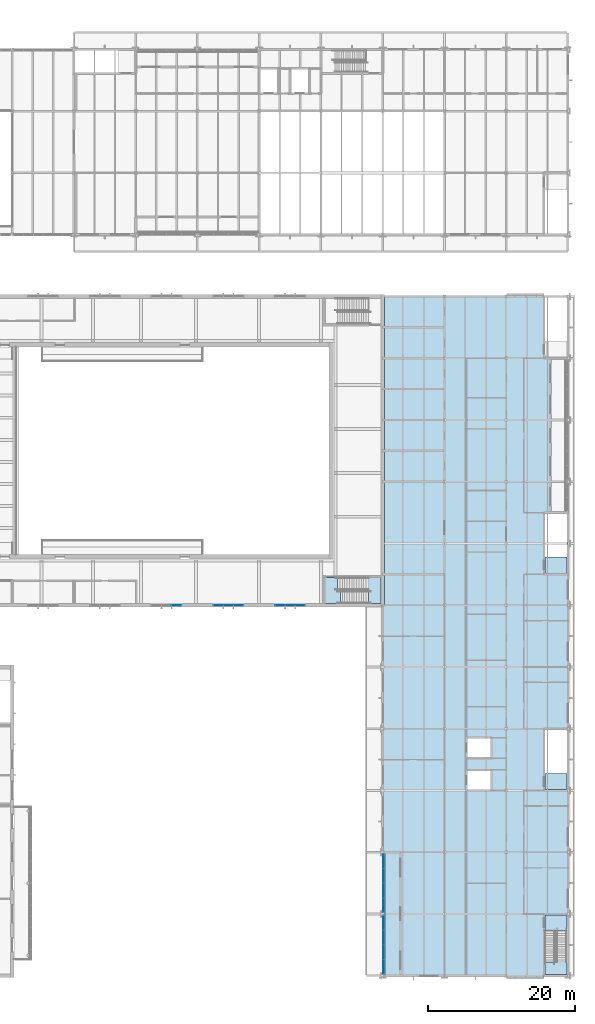
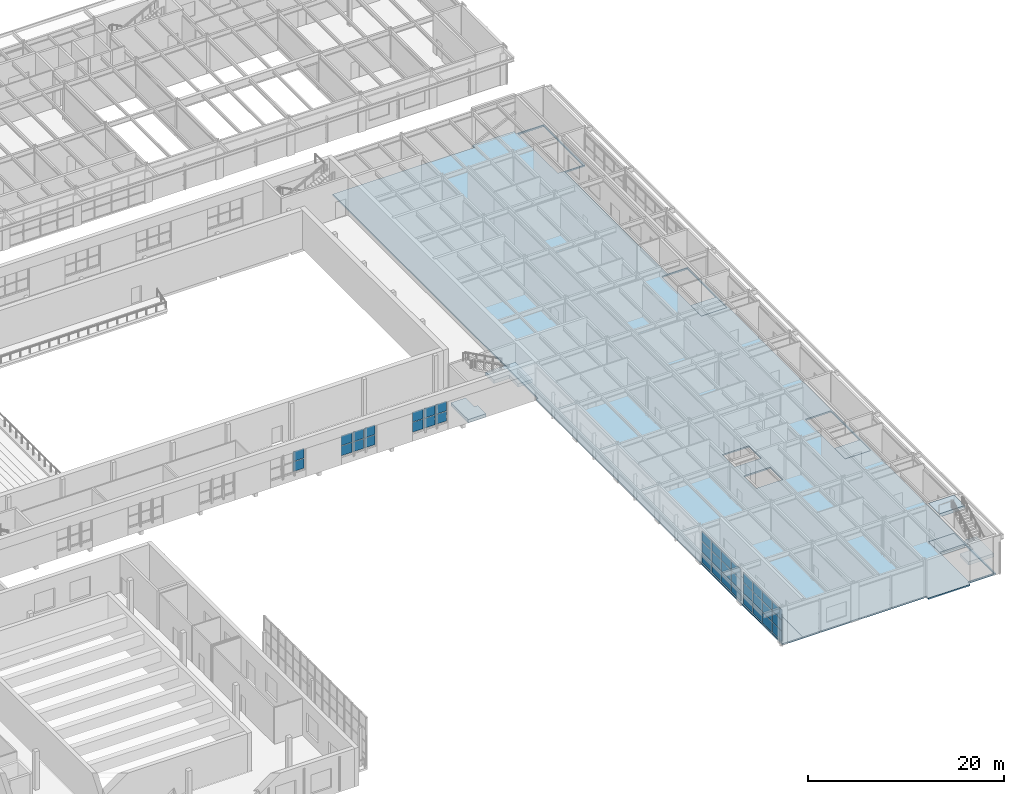
# One storey, part 58 of 116: 38 plates, 9 slabs, 7 elements without a shape of their own.
"""IFC4 building model written with IfcOpenShell, lengths in metres."""

from ifc_helpers import new_model, si_unit, direction, frame, origin, origin_2d, place, context, subcontext, project, spatial, polyline, rectangle, outline, extrude, material, layer, layer_set, type_object, element, aggregate, save


model = new_model("IFC4")

# Units and contexts
model_context = context("Model", 3, precision=1e-05, world=origin(), true_north=direction((0.0, 1.0)))
body_context = subcontext(model_context, "Body", "Model", "MODEL_VIEW")
ifc_project = project(units=[si_unit("LENGTHUNIT", "METRE"), si_unit("AREAUNIT", "SQUARE_METRE"), si_unit("VOLUMEUNIT", "CUBIC_METRE"), si_unit("PLANEANGLEUNIT", "RADIAN"), si_unit("MASSUNIT", "GRAM", prefix="KILO")], contexts=[model_context])

# Site, building, storey
site_placement = place(None, origin())
site = spatial("IfcSite", under=ifc_project, at=site_placement, CompositionType="ELEMENT")
building_placement = place(site_placement, origin())
building = spatial("IfcBuilding", under=site, at=building_placement, Name="Ljudholm Concert House", CompositionType="ELEMENT")
storey_placement = place(building_placement, frame((0.0, 0.0, 10.199951171875)))
storey = spatial("IfcBuildingStorey", under=building, at=storey_placement, Name="L02", CompositionType="ELEMENT", Elevation=10.199951171875)

# Slabs
ifc_material_1 = material(Name="Concrete 5,000 psi", Category="concrete")
ifc_layer_1 = layer(ifc_material_1, 0.179931640625)
ifc_layer_set_1 = layer_set([ifc_layer_1], Name="Concrete 5,000 psi")
slab_type_1 = type_object("IfcSlabType", Name="COMPOSITE FLOOR SLAB 180", PredefinedType="FLOOR", material=ifc_layer_set_1)
slab_1_placement = place(storey_placement, frame((0.0, 0.0, -0.179931640625)))
element("IfcSlab", 1, at=slab_1_placement, inside=storey, type_object=slab_type_1, Name="Composite floor slab", PredefinedType="FLOOR", context=body_context, shape_type="SweptSolid", body=[
    extrude(outline(polyline([(113.389892578125, 3.5703125), (113.389892578125, 4.0), (98.800048828125, 4.0), (98.800048828125, 20.800048828125), (96.39990234375, 20.800048828125), (96.39990234375, 54.39990234375), (96.64990234375, 54.39990234375), (96.64990234375, 96.39990234375), (113.389892578125, 96.39990234375), (113.389892578125, 96.82958984375), (118.324951171875, 96.82958984375), (118.324951171875, 96.39990234375), (121.60009765625, 96.39990234375), (121.60009765625, 88.0), (119.199951171875, 88.0), (119.199951171875, 67.0), (121.60009765625, 67.0), (121.60009765625, 4.0), (118.324951171875, 4.0), (118.324951171875, 3.5703125), (113.389892578125, 3.5703125)]), holes=[polyline([(121.449951171875, 12.27490234375), (118.449951171875, 12.27490234375), (118.449951171875, 4.14990234375), (121.449951171875, 4.14990234375), (121.449951171875, 12.27490234375)]), polyline([(111.074951171875, 31.875), (107.925048828125, 31.875), (107.925048828125, 29.324951171875), (111.074951171875, 29.324951171875), (111.074951171875, 31.875)]), polyline([(121.449951171875, 37.47509765625), (118.449951171875, 37.47509765625), (118.449951171875, 29.324951171875), (121.449951171875, 29.324951171875), (121.449951171875, 37.47509765625)]), polyline([(111.074951171875, 36.27490234375), (107.925048828125, 36.27490234375), (107.925048828125, 33.72509765625), (111.074951171875, 33.72509765625), (111.074951171875, 36.27490234375)]), polyline([(121.449951171875, 66.875), (118.449951171875, 66.875), (118.449951171875, 58.72509765625), (121.449951171875, 58.72509765625), (121.449951171875, 66.875)]), polyline([(121.449951171875, 96.25), (118.449951171875, 96.25), (118.449951171875, 88.125), (121.449951171875, 88.125), (121.449951171875, 96.25)])]), origin(), (0.0, 0.0, 1.0), 0.179931640625),
])
ifc_material_2 = material(Name="Concrete 5,000 psi", Category="concrete")
ifc_layer_2 = layer(ifc_material_2, 0.179931640625)
ifc_layer_set_2 = layer_set([ifc_layer_2], Name="Concrete 5,000 psi")
slab_type_2 = type_object("IfcSlabType", Name="COMPOSITE FLOOR SLAB 180 EXTERNAL", PredefinedType="FLOOR", material=ifc_layer_set_2)
slab_2_placement = place(storey_placement, frame((0.0, 0.0, -0.179931640625)))
element("IfcSlab", 2, at=slab_2_placement, inside=storey, type_object=slab_type_2, Name="Loggia floor slab", PredefinedType="FLOOR", context=body_context, shape_type="SweptSolid", body=[
    extrude(outline(polyline([(96.39990234375, 4.0), (98.800048828125, 4.0), (98.800048828125, 20.800048828125), (96.39990234375, 20.800048828125), (96.39990234375, 4.0)])), origin(), (0.0, 0.0, 1.0), 0.179931640625),
])

# Curtain wall, plates
ifc_material_3 = material(Name="Aluminium curtain wall with impact-rated laminated glass", Category="aluminium")
curtain_wall_type_1 = type_object("IfcCurtainWallType", Name="CURTAIN WALL 1400", PredefinedType="NOTDEFINED", material=ifc_material_3)
curtain_wall_1_placement = place(storey_placement, origin())
curtain_wall_1 = element("IfcCurtainWall", 3, at=curtain_wall_1_placement, inside=storey, type_object=curtain_wall_type_1, Name="Promenade curtain wall", PredefinedType="NOTDEFINED")
ifc_material_4 = material(Name="Impact-rated laminated glass", Category="glass")
ifc_layer_3 = layer(ifc_material_4, 0.028076171875)
ifc_layer_set_3 = layer_set([ifc_layer_3], Name="Impact-rated laminated glass")
plate_type_1 = type_object("IfcPlateType", Name="CURTAIN PANEL 28", PredefinedType="CURTAIN_PANEL", material=ifc_layer_set_3)
plate_1_placement = place(storey_placement, frame((68.364990234375, 54.39990234375, 0.9599609375), z_axis=(0.0, 0.0, 1.0), x_axis=(1.0, 0.0, 0.0)))
plate_1 = element("IfcPlate", 4, at=plate_1_placement, type_object=plate_type_1, Name="Curtain wall panel", PredefinedType="CURTAIN_PANEL", context=body_context, shape_type="SweptSolid", body=[
    extrude(rectangle(XDim=1.2900390625, YDim=0.028076171875, at=origin_2d()), origin(), (0.0, 0.0, 1.0), 1.2099609375),
])
plate_2_placement = place(storey_placement, frame((68.364990234375, 54.39990234375, 2.22998046875), z_axis=(0.0, 0.0, 1.0), x_axis=(1.0, 0.0, 0.0)))
plate_2 = element("IfcPlate", 5, at=plate_2_placement, type_object=plate_type_1, Name="Curtain wall panel", PredefinedType="CURTAIN_PANEL", context=body_context, shape_type="SweptSolid", body=[
    extrude(rectangle(XDim=1.2900390625, YDim=0.028076171875, at=origin_2d()), origin(), (0.0, 0.0, 1.0), 1.2099609375),
])
aggregate(curtain_wall_1, [plate_1, plate_2])

curtain_wall_2_placement = place(storey_placement, origin())
curtain_wall_2 = element("IfcCurtainWall", 6, at=curtain_wall_2_placement, inside=storey, type_object=curtain_wall_type_1, Name="Promenade curtain wall", PredefinedType="NOTDEFINED")
plate_3_placement = place(storey_placement, frame((74.034912109375, 54.39990234375, 0.9599609375), z_axis=(0.0, 0.0, 1.0), x_axis=(1.0, 0.0, 0.0)))
plate_3 = element("IfcPlate", 7, at=plate_3_placement, type_object=plate_type_1, Name="Curtain wall panel", PredefinedType="CURTAIN_PANEL", context=body_context, shape_type="SweptSolid", body=[
    extrude(rectangle(XDim=1.2900390625, YDim=0.028076171875, at=origin_2d()), origin(), (0.0, 0.0, 1.0), 1.2099609375),
])
plate_4_placement = place(storey_placement, frame((74.034912109375, 54.39990234375, 2.22998046875), z_axis=(0.0, 0.0, 1.0), x_axis=(1.0, 0.0, 0.0)))
plate_4 = element("IfcPlate", 8, at=plate_4_placement, type_object=plate_type_1, Name="Curtain wall panel", PredefinedType="CURTAIN_PANEL", context=body_context, shape_type="SweptSolid", body=[
    extrude(rectangle(XDim=1.2900390625, YDim=0.028076171875, at=origin_2d()), origin(), (0.0, 0.0, 1.0), 1.2099609375),
])
plate_5_placement = place(storey_placement, frame((75.39990234375, 54.39990234375, 0.9599609375), z_axis=(0.0, 0.0, 1.0), x_axis=(1.0, 0.0, 0.0)))
plate_5 = element("IfcPlate", 9, at=plate_5_placement, type_object=plate_type_1, Name="Curtain wall panel", PredefinedType="CURTAIN_PANEL", context=body_context, shape_type="SweptSolid", body=[
    extrude(rectangle(XDim=1.320068359375, YDim=0.028076171875, at=origin_2d()), origin(), (0.0, 0.0, 1.0), 1.2099609375),
])
plate_6_placement = place(storey_placement, frame((75.39990234375, 54.39990234375, 2.22998046875), z_axis=(0.0, 0.0, 1.0), x_axis=(1.0, 0.0, 0.0)))
plate_6 = element("IfcPlate", 10, at=plate_6_placement, type_object=plate_type_1, Name="Curtain wall panel", PredefinedType="CURTAIN_PANEL", context=body_context, shape_type="SweptSolid", body=[
    extrude(rectangle(XDim=1.320068359375, YDim=0.028076171875, at=origin_2d()), origin(), (0.0, 0.0, 1.0), 1.2099609375),
])
plate_7_placement = place(storey_placement, frame((76.764892578125, 54.39990234375, 0.9599609375), z_axis=(0.0, 0.0, 1.0), x_axis=(1.0, 0.0, 0.0)))
plate_7 = element("IfcPlate", 11, at=plate_7_placement, type_object=plate_type_1, Name="Curtain wall panel", PredefinedType="CURTAIN_PANEL", context=body_context, shape_type="SweptSolid", body=[
    extrude(rectangle(XDim=1.2900390625, YDim=0.028076171875, at=origin_2d()), origin(), (0.0, 0.0, 1.0), 1.2099609375),
])
plate_8_placement = place(storey_placement, frame((76.764892578125, 54.39990234375, 2.22998046875), z_axis=(0.0, 0.0, 1.0), x_axis=(1.0, 0.0, 0.0)))
plate_8 = element("IfcPlate", 12, at=plate_8_placement, type_object=plate_type_1, Name="Curtain wall panel", PredefinedType="CURTAIN_PANEL", context=body_context, shape_type="SweptSolid", body=[
    extrude(rectangle(XDim=1.2900390625, YDim=0.028076171875, at=origin_2d()), origin(), (0.0, 0.0, 1.0), 1.2099609375),
])
aggregate(curtain_wall_2, [plate_3, plate_4, plate_5, plate_6, plate_7, plate_8])

curtain_wall_3_placement = place(storey_placement, origin())
curtain_wall_3 = element("IfcCurtainWall", 13, at=curtain_wall_3_placement, inside=storey, type_object=curtain_wall_type_1, Name="Promenade curtain wall", PredefinedType="NOTDEFINED")
plate_9_placement = place(storey_placement, frame((82.43505859375, 54.39990234375, 0.9599609375), z_axis=(0.0, 0.0, 1.0), x_axis=(1.0, 0.0, 0.0)))
plate_9 = element("IfcPlate", 14, at=plate_9_placement, type_object=plate_type_1, Name="Curtain wall panel", PredefinedType="CURTAIN_PANEL", context=body_context, shape_type="SweptSolid", body=[
    extrude(rectangle(XDim=1.2900390625, YDim=0.028076171875, at=origin_2d()), origin(), (0.0, 0.0, 1.0), 1.2099609375),
])
plate_10_placement = place(storey_placement, frame((82.43505859375, 54.39990234375, 2.22998046875), z_axis=(0.0, 0.0, 1.0), x_axis=(1.0, 0.0, 0.0)))
plate_10 = element("IfcPlate", 15, at=plate_10_placement, type_object=plate_type_1, Name="Curtain wall panel", PredefinedType="CURTAIN_PANEL", context=body_context, shape_type="SweptSolid", body=[
    extrude(rectangle(XDim=1.2900390625, YDim=0.028076171875, at=origin_2d()), origin(), (0.0, 0.0, 1.0), 1.2099609375),
])
plate_11_placement = place(storey_placement, frame((83.800048828125, 54.39990234375, 0.9599609375), z_axis=(0.0, 0.0, 1.0), x_axis=(1.0, 0.0, 0.0)))
plate_11 = element("IfcPlate", 16, at=plate_11_placement, type_object=plate_type_1, Name="Curtain wall panel", PredefinedType="CURTAIN_PANEL", context=body_context, shape_type="SweptSolid", body=[
    extrude(rectangle(XDim=1.320068359375, YDim=0.028076171875, at=origin_2d()), origin(), (0.0, 0.0, 1.0), 1.2099609375),
])
plate_12_placement = place(storey_placement, frame((83.800048828125, 54.39990234375, 2.22998046875), z_axis=(0.0, 0.0, 1.0), x_axis=(1.0, 0.0, 0.0)))
plate_12 = element("IfcPlate", 17, at=plate_12_placement, type_object=plate_type_1, Name="Curtain wall panel", PredefinedType="CURTAIN_PANEL", context=body_context, shape_type="SweptSolid", body=[
    extrude(rectangle(XDim=1.320068359375, YDim=0.028076171875, at=origin_2d()), origin(), (0.0, 0.0, 1.0), 1.2099609375),
])
plate_13_placement = place(storey_placement, frame((85.1650390625, 54.39990234375, 0.9599609375), z_axis=(0.0, 0.0, 1.0), x_axis=(1.0, 0.0, 0.0)))
plate_13 = element("IfcPlate", 18, at=plate_13_placement, type_object=plate_type_1, Name="Curtain wall panel", PredefinedType="CURTAIN_PANEL", context=body_context, shape_type="SweptSolid", body=[
    extrude(rectangle(XDim=1.2900390625, YDim=0.028076171875, at=origin_2d()), origin(), (0.0, 0.0, 1.0), 1.2099609375),
])
plate_14_placement = place(storey_placement, frame((85.1650390625, 54.39990234375, 2.22998046875), z_axis=(0.0, 0.0, 1.0), x_axis=(1.0, 0.0, 0.0)))
plate_14 = element("IfcPlate", 19, at=plate_14_placement, type_object=plate_type_1, Name="Curtain wall panel", PredefinedType="CURTAIN_PANEL", context=body_context, shape_type="SweptSolid", body=[
    extrude(rectangle(XDim=1.2900390625, YDim=0.028076171875, at=origin_2d()), origin(), (0.0, 0.0, 1.0), 1.2099609375),
])
aggregate(curtain_wall_3, [plate_9, plate_10, plate_11, plate_12, plate_13, plate_14])

ifc_material_5 = material(Name="Aluminium curtain wall with fixed aluminium storm louvre blades, timber-grain finish", Category="aluminium")
curtain_wall_type_2 = type_object("IfcCurtainWallType", Name="CURTAIN WALL 2000", PredefinedType="NOTDEFINED", material=ifc_material_5)
curtain_wall_4_placement = place(storey_placement, origin())
curtain_wall_4 = element("IfcCurtainWall", 20, at=curtain_wall_4_placement, inside=storey, type_object=curtain_wall_type_2, Name="Storm louvre screen", PredefinedType="NOTDEFINED")
ifc_material_6 = material(Name="Fixed aluminium storm louvre blades, timber-grain finish", Category="aluminium")
ifc_layer_4 = layer(ifc_material_6, 0.030029296875)
ifc_layer_set_4 = layer_set([ifc_layer_4], Name="Fixed aluminium storm louvre blades, timber-grain finish")
plate_type_2 = type_object("IfcPlateType", Name="CURTAIN PANEL 30", PredefinedType="CURTAIN_PANEL", material=ifc_layer_set_4)
plate_15_placement = place(storey_placement, frame((96.5, 5.20751953125, 0.06005859375), z_axis=(0.0, 0.0, 1.0), x_axis=(0.0, 1.0, 0.0)))
plate_15 = element("IfcPlate", 21, at=plate_15_placement, type_object=plate_type_2, Name="Curtain wall panel", PredefinedType="CURTAIN_PANEL", context=body_context, shape_type="SweptSolid", body=[
    extrude(rectangle(XDim=1.9150390625, YDim=0.030029296875, at=origin_2d()), origin(), (0.0, 0.0, 1.0), 1.272216796875),
])
plate_16_placement = place(storey_placement, frame((96.5, 5.20751953125, 1.392333984375), z_axis=(0.0, 0.0, 1.0), x_axis=(0.0, 1.0, 0.0)))
plate_16 = element("IfcPlate", 22, at=plate_16_placement, type_object=plate_type_2, Name="Curtain wall panel", PredefinedType="CURTAIN_PANEL", context=body_context, shape_type="SweptSolid", body=[
    extrude(rectangle(XDim=1.9150390625, YDim=0.030029296875, at=origin_2d()), origin(), (0.0, 0.0, 1.0), 1.30224609375),
])
plate_17_placement = place(storey_placement, frame((96.5, 5.20751953125, 2.75439453125), z_axis=(0.0, 0.0, 1.0), x_axis=(0.0, 1.0, 0.0)))
plate_17 = element("IfcPlate", 23, at=plate_17_placement, type_object=plate_type_2, Name="Curtain wall panel", PredefinedType="CURTAIN_PANEL", context=body_context, shape_type="SweptSolid", body=[
    extrude(rectangle(XDim=1.9150390625, YDim=0.030029296875, at=origin_2d()), origin(), (0.0, 0.0, 1.0), 1.272216796875),
])
plate_18_placement = place(storey_placement, frame((96.5, 7.197509765625, 0.06005859375), z_axis=(0.0, 0.0, 1.0), x_axis=(0.0, 1.0, 0.0)))
plate_18 = element("IfcPlate", 24, at=plate_18_placement, type_object=plate_type_2, Name="Curtain wall panel", PredefinedType="CURTAIN_PANEL", context=body_context, shape_type="SweptSolid", body=[
    extrude(rectangle(XDim=1.945068359375, YDim=0.030029296875, at=origin_2d()), origin(), (0.0, 0.0, 1.0), 1.272216796875),
])
plate_19_placement = place(storey_placement, frame((96.5, 7.197509765625, 1.392333984375), z_axis=(0.0, 0.0, 1.0), x_axis=(0.0, 1.0, 0.0)))
plate_19 = element("IfcPlate", 25, at=plate_19_placement, type_object=plate_type_2, Name="Curtain wall panel", PredefinedType="CURTAIN_PANEL", context=body_context, shape_type="SweptSolid", body=[
    extrude(rectangle(XDim=1.945068359375, YDim=0.030029296875, at=origin_2d()), origin(), (0.0, 0.0, 1.0), 1.30224609375),
])
plate_20_placement = place(storey_placement, frame((96.5, 7.197509765625, 2.75439453125), z_axis=(0.0, 0.0, 1.0), x_axis=(0.0, 1.0, 0.0)))
plate_20 = element("IfcPlate", 26, at=plate_20_placement, type_object=plate_type_2, Name="Curtain wall panel", PredefinedType="CURTAIN_PANEL", context=body_context, shape_type="SweptSolid", body=[
    extrude(rectangle(XDim=1.945068359375, YDim=0.030029296875, at=origin_2d()), origin(), (0.0, 0.0, 1.0), 1.272216796875),
])
plate_21_placement = place(storey_placement, frame((96.5, 9.202392578125, 0.06005859375), z_axis=(0.0, 0.0, 1.0), x_axis=(0.0, 1.0, 0.0)))
plate_21 = element("IfcPlate", 27, at=plate_21_placement, type_object=plate_type_2, Name="Curtain wall panel", PredefinedType="CURTAIN_PANEL", context=body_context, shape_type="SweptSolid", body=[
    extrude(rectangle(XDim=1.945068359375, YDim=0.030029296875, at=origin_2d()), origin(), (0.0, 0.0, 1.0), 1.272216796875),
])
plate_22_placement = place(storey_placement, frame((96.5, 9.202392578125, 1.392333984375), z_axis=(0.0, 0.0, 1.0), x_axis=(0.0, 1.0, 0.0)))
plate_22 = element("IfcPlate", 28, at=plate_22_placement, type_object=plate_type_2, Name="Curtain wall panel", PredefinedType="CURTAIN_PANEL", context=body_context, shape_type="SweptSolid", body=[
    extrude(rectangle(XDim=1.945068359375, YDim=0.030029296875, at=origin_2d()), origin(), (0.0, 0.0, 1.0), 1.30224609375),
])
plate_23_placement = place(storey_placement, frame((96.5, 9.202392578125, 2.75439453125), z_axis=(0.0, 0.0, 1.0), x_axis=(0.0, 1.0, 0.0)))
plate_23 = element("IfcPlate", 29, at=plate_23_placement, type_object=plate_type_2, Name="Curtain wall panel", PredefinedType="CURTAIN_PANEL", context=body_context, shape_type="SweptSolid", body=[
    extrude(rectangle(XDim=1.945068359375, YDim=0.030029296875, at=origin_2d()), origin(), (0.0, 0.0, 1.0), 1.272216796875),
])
plate_24_placement = place(storey_placement, frame((96.5, 11.1923828125, 0.06005859375), z_axis=(0.0, 0.0, 1.0), x_axis=(0.0, 1.0, 0.0)))
plate_24 = element("IfcPlate", 30, at=plate_24_placement, type_object=plate_type_2, Name="Curtain wall panel", PredefinedType="CURTAIN_PANEL", context=body_context, shape_type="SweptSolid", body=[
    extrude(rectangle(XDim=1.9150390625, YDim=0.030029296875, at=origin_2d()), origin(), (0.0, 0.0, 1.0), 1.272216796875),
])
plate_25_placement = place(storey_placement, frame((96.5, 11.1923828125, 1.392333984375), z_axis=(0.0, 0.0, 1.0), x_axis=(0.0, 1.0, 0.0)))
plate_25 = element("IfcPlate", 31, at=plate_25_placement, type_object=plate_type_2, Name="Curtain wall panel", PredefinedType="CURTAIN_PANEL", context=body_context, shape_type="SweptSolid", body=[
    extrude(rectangle(XDim=1.9150390625, YDim=0.030029296875, at=origin_2d()), origin(), (0.0, 0.0, 1.0), 1.30224609375),
])
plate_26_placement = place(storey_placement, frame((96.5, 11.1923828125, 2.75439453125), z_axis=(0.0, 0.0, 1.0), x_axis=(0.0, 1.0, 0.0)))
plate_26 = element("IfcPlate", 32, at=plate_26_placement, type_object=plate_type_2, Name="Curtain wall panel", PredefinedType="CURTAIN_PANEL", context=body_context, shape_type="SweptSolid", body=[
    extrude(rectangle(XDim=1.9150390625, YDim=0.030029296875, at=origin_2d()), origin(), (0.0, 0.0, 1.0), 1.272216796875),
])
aggregate(curtain_wall_4, [plate_15, plate_16, plate_17, plate_18, plate_19, plate_20, plate_21, plate_22, plate_23, plate_24, plate_25, plate_26])

curtain_wall_5_placement = place(storey_placement, origin())
curtain_wall_5 = element("IfcCurtainWall", 33, at=curtain_wall_5_placement, inside=storey, type_object=curtain_wall_type_2, Name="Storm louvre screen", PredefinedType="NOTDEFINED")
plate_27_placement = place(storey_placement, frame((96.5, 13.607421875, 0.06005859375), z_axis=(0.0, 0.0, 1.0), x_axis=(0.0, 1.0, 0.0)))
plate_27 = element("IfcPlate", 34, at=plate_27_placement, type_object=plate_type_2, Name="Curtain wall panel", PredefinedType="CURTAIN_PANEL", context=body_context, shape_type="SweptSolid", body=[
    extrude(rectangle(XDim=1.9150390625, YDim=0.030029296875, at=origin_2d()), origin(), (0.0, 0.0, 1.0), 1.272216796875),
])
plate_28_placement = place(storey_placement, frame((96.5, 13.607421875, 1.392333984375), z_axis=(0.0, 0.0, 1.0), x_axis=(0.0, 1.0, 0.0)))
plate_28 = element("IfcPlate", 35, at=plate_28_placement, type_object=plate_type_2, Name="Curtain wall panel", PredefinedType="CURTAIN_PANEL", context=body_context, shape_type="SweptSolid", body=[
    extrude(rectangle(XDim=1.9150390625, YDim=0.030029296875, at=origin_2d()), origin(), (0.0, 0.0, 1.0), 1.30224609375),
])
plate_29_placement = place(storey_placement, frame((96.5, 13.607421875, 2.75439453125), z_axis=(0.0, 0.0, 1.0), x_axis=(0.0, 1.0, 0.0)))
plate_29 = element("IfcPlate", 36, at=plate_29_placement, type_object=plate_type_2, Name="Curtain wall panel", PredefinedType="CURTAIN_PANEL", context=body_context, shape_type="SweptSolid", body=[
    extrude(rectangle(XDim=1.9150390625, YDim=0.030029296875, at=origin_2d()), origin(), (0.0, 0.0, 1.0), 1.272216796875),
])
plate_30_placement = place(storey_placement, frame((96.5, 15.597412109375, 0.06005859375), z_axis=(0.0, 0.0, 1.0), x_axis=(0.0, 1.0, 0.0)))
plate_30 = element("IfcPlate", 37, at=plate_30_placement, type_object=plate_type_2, Name="Curtain wall panel", PredefinedType="CURTAIN_PANEL", context=body_context, shape_type="SweptSolid", body=[
    extrude(rectangle(XDim=1.945068359375, YDim=0.030029296875, at=origin_2d()), origin(), (0.0, 0.0, 1.0), 1.272216796875),
])
plate_31_placement = place(storey_placement, frame((96.5, 15.597412109375, 1.392333984375), z_axis=(0.0, 0.0, 1.0), x_axis=(0.0, 1.0, 0.0)))
plate_31 = element("IfcPlate", 38, at=plate_31_placement, type_object=plate_type_2, Name="Curtain wall panel", PredefinedType="CURTAIN_PANEL", context=body_context, shape_type="SweptSolid", body=[
    extrude(rectangle(XDim=1.945068359375, YDim=0.030029296875, at=origin_2d()), origin(), (0.0, 0.0, 1.0), 1.30224609375),
])
plate_32_placement = place(storey_placement, frame((96.5, 15.597412109375, 2.75439453125), z_axis=(0.0, 0.0, 1.0), x_axis=(0.0, 1.0, 0.0)))
plate_32 = element("IfcPlate", 39, at=plate_32_placement, type_object=plate_type_2, Name="Curtain wall panel", PredefinedType="CURTAIN_PANEL", context=body_context, shape_type="SweptSolid", body=[
    extrude(rectangle(XDim=1.945068359375, YDim=0.030029296875, at=origin_2d()), origin(), (0.0, 0.0, 1.0), 1.272216796875),
])
plate_33_placement = place(storey_placement, frame((96.5, 17.6025390625, 0.06005859375), z_axis=(0.0, 0.0, 1.0), x_axis=(0.0, 1.0, 0.0)))
plate_33 = element("IfcPlate", 40, at=plate_33_placement, type_object=plate_type_2, Name="Curtain wall panel", PredefinedType="CURTAIN_PANEL", context=body_context, shape_type="SweptSolid", body=[
    extrude(rectangle(XDim=1.945068359375, YDim=0.030029296875, at=origin_2d()), origin(), (0.0, 0.0, 1.0), 1.272216796875),
])
plate_34_placement = place(storey_placement, frame((96.5, 17.6025390625, 1.392333984375), z_axis=(0.0, 0.0, 1.0), x_axis=(0.0, 1.0, 0.0)))
plate_34 = element("IfcPlate", 41, at=plate_34_placement, type_object=plate_type_2, Name="Curtain wall panel", PredefinedType="CURTAIN_PANEL", context=body_context, shape_type="SweptSolid", body=[
    extrude(rectangle(XDim=1.945068359375, YDim=0.030029296875, at=origin_2d()), origin(), (0.0, 0.0, 1.0), 1.30224609375),
])
plate_35_placement = place(storey_placement, frame((96.5, 17.6025390625, 2.75439453125), z_axis=(0.0, 0.0, 1.0), x_axis=(0.0, 1.0, 0.0)))
plate_35 = element("IfcPlate", 42, at=plate_35_placement, type_object=plate_type_2, Name="Curtain wall panel", PredefinedType="CURTAIN_PANEL", context=body_context, shape_type="SweptSolid", body=[
    extrude(rectangle(XDim=1.945068359375, YDim=0.030029296875, at=origin_2d()), origin(), (0.0, 0.0, 1.0), 1.272216796875),
])
plate_36_placement = place(storey_placement, frame((96.5, 19.592529296875, 0.06005859375), z_axis=(0.0, 0.0, 1.0), x_axis=(0.0, 1.0, 0.0)))
plate_36 = element("IfcPlate", 43, at=plate_36_placement, type_object=plate_type_2, Name="Curtain wall panel", PredefinedType="CURTAIN_PANEL", context=body_context, shape_type="SweptSolid", body=[
    extrude(rectangle(XDim=1.9150390625, YDim=0.030029296875, at=origin_2d()), origin(), (0.0, 0.0, 1.0), 1.272216796875),
])
plate_37_placement = place(storey_placement, frame((96.5, 19.592529296875, 1.392333984375), z_axis=(0.0, 0.0, 1.0), x_axis=(0.0, 1.0, 0.0)))
plate_37 = element("IfcPlate", 44, at=plate_37_placement, type_object=plate_type_2, Name="Curtain wall panel", PredefinedType="CURTAIN_PANEL", context=body_context, shape_type="SweptSolid", body=[
    extrude(rectangle(XDim=1.9150390625, YDim=0.030029296875, at=origin_2d()), origin(), (0.0, 0.0, 1.0), 1.30224609375),
])
plate_38_placement = place(storey_placement, frame((96.5, 19.592529296875, 2.75439453125), z_axis=(0.0, 0.0, 1.0), x_axis=(0.0, 1.0, 0.0)))
plate_38 = element("IfcPlate", 45, at=plate_38_placement, type_object=plate_type_2, Name="Curtain wall panel", PredefinedType="CURTAIN_PANEL", context=body_context, shape_type="SweptSolid", body=[
    extrude(rectangle(XDim=1.9150390625, YDim=0.030029296875, at=origin_2d()), origin(), (0.0, 0.0, 1.0), 1.272216796875),
])
aggregate(curtain_wall_5, [plate_27, plate_28, plate_29, plate_30, plate_31, plate_32, plate_33, plate_34, plate_35, plate_36, plate_37, plate_38])

# Slab
ifc_material_7 = material(Name="Concrete 5,000 psi", Category="concrete")
ifc_layer_5 = layer(ifc_material_7, 0.39990234375)
ifc_layer_set_5 = layer_set([ifc_layer_5], Name="Concrete 5,000 psi")
slab_type_3 = type_object("IfcSlabType", Name="RC FLOOR SLAB 400", PredefinedType="FLOOR", material=ifc_layer_set_5)
slab_3_placement = place(storey_placement, frame((0.0, 0.0, -0.39990234375)))
element("IfcSlab", 46, at=slab_3_placement, inside=storey, type_object=slab_type_3, Name="Stair arrival floor EH3", PredefinedType="FLOOR", context=body_context, shape_type="SweptSolid", body=[
    extrude(outline(polyline([(88.550048828125, 54.64990234375), (88.550048828125, 58.14990234375), (90.25048828125, 58.14990234375), (90.25048828125, 56.35009765625), (90.64990234375, 56.35009765625), (90.64990234375, 54.64990234375), (90.25048828125, 54.64990234375), (90.25, 54.64990234375), (88.550048828125, 54.64990234375)])), origin(), (0.0, 0.0, 1.0), 0.39990234375),
])

# Stair, slab
ifc_material_8 = material(Name="Concrete 5,000 psi", Category="concrete")
stair_type_1 = type_object("IfcStairType", Name="RC STAIR 1700x171x323", PredefinedType="HALF_TURN_STAIR", material=ifc_material_8)
stair_1_placement = place(storey_placement, origin())
stair_1 = element("IfcStair", 47, at=stair_1_placement, inside=storey, type_object=stair_type_1, Name="Exit stair EH3", PredefinedType="HALF_TURN_STAIR")
ifc_material_9 = material(Name="Concrete 5,000 psi", Category="concrete")
ifc_layer_6 = layer(ifc_material_9, 0.409912109375)
ifc_layer_set_6 = layer_set([ifc_layer_6], Name="Concrete 5,000 psi")
slab_type_4 = type_object("IfcSlabType", Name="RC LANDING 410", PredefinedType="LANDING", material=ifc_layer_set_6)
slab_4_placement = place(storey_placement, frame((0.0, 0.0, 1.989990234375)))
slab_4 = element("IfcSlab", 48, at=slab_4_placement, type_object=slab_type_4, Name="Stair landing", PredefinedType="LANDING", context=body_context, shape_type="SweptSolid", body=[
    extrude(outline(polyline([(92.6201171875, 58.14990234375), (92.6201171875, 56.449951171875), (94.449462890625, 56.449951171875), (94.449462890625, 54.64990234375), (96.14990234375, 54.64990234375), (96.14990234375, 58.14990234375), (92.6201171875, 58.14990234375)])), origin(), (0.0, 0.0, 1.0), 0.41015625),
])
aggregate(stair_1, [slab_4])

ifc_material_10 = material(Name="Concrete 5,000 psi", Category="concrete")
stair_type_2 = type_object("IfcStairType", Name="RC STAIR 1350x160x300", PredefinedType="HALF_TURN_STAIR", material=ifc_material_10)
stair_2_placement = place(storey_placement, origin())
stair_2 = element("IfcStair", 49, at=stair_2_placement, inside=storey, type_object=stair_type_2, Name="Stair SB1", PredefinedType="HALF_TURN_STAIR")
slab_5_placement = place(storey_placement, frame((0.0, 0.0, 1.989990234375)))
slab_5 = element("IfcSlab", 50, at=slab_5_placement, type_object=slab_type_4, Name="Stair landing", PredefinedType="LANDING", context=body_context, shape_type="SweptSolid", body=[
    extrude(outline(polyline([(121.449951171875, 7.705078125), (120.050048828125, 7.705078125), (120.050048828125, 5.87548828125), (118.449951171875, 5.87548828125), (118.449951171875, 4.14990234375), (121.449951171875, 4.14990234375), (121.449951171875, 7.705078125)])), origin(), (0.0, 0.0, 1.0), 0.41015625),
])
aggregate(stair_2, [slab_5])

# Slabs
slab_6_placement = place(storey_placement, frame((0.0, 0.0, -0.409912109375)))
element("IfcSlab", 51, at=slab_6_placement, inside=storey, type_object=slab_type_4, Name="Stair arrival slab", PredefinedType="LANDING", context=body_context, shape_type="SweptSolid", body=[
    extrude(outline(polyline([(118.449951171875, 12.27490234375), (121.449951171875, 12.27490234375), (121.449951171875, 10.074462890625), (118.449951171875, 10.074462890625), (118.449951171875, 12.27490234375)])), origin(), (0.0, 0.0, 1.0), 0.409912109375),
])
slab_7_placement = place(storey_placement, frame((0.0, 0.0, -0.409912109375)))
element("IfcSlab", 52, at=slab_7_placement, inside=storey, type_object=slab_type_4, Name="Stair arrival slab", PredefinedType="LANDING", context=body_context, shape_type="SweptSolid", body=[
    extrude(outline(polyline([(121.449951171875, 29.324951171875), (118.449951171875, 29.324951171875), (118.449951171875, 31.525390625), (121.449951171875, 31.525390625), (121.449951171875, 29.324951171875)])), origin(), (0.0, 0.0, 1.0), 0.409912109375),
])
slab_8_placement = place(storey_placement, frame((0.0, 0.0, -0.409912109375)))
element("IfcSlab", 53, at=slab_8_placement, inside=storey, type_object=slab_type_4, Name="Stair arrival slab", PredefinedType="LANDING", context=body_context, shape_type="SweptSolid", body=[
    extrude(outline(polyline([(121.449951171875, 58.72509765625), (118.449951171875, 58.72509765625), (118.449951171875, 60.925537109375), (121.449951171875, 60.925537109375), (121.449951171875, 58.72509765625)])), origin(), (0.0, 0.0, 1.0), 0.409912109375),
])
slab_9_placement = place(storey_placement, frame((0.0, 0.0, 4.39013671875)))
element("IfcSlab", 54, at=slab_9_placement, inside=storey, type_object=slab_type_4, Name="Stair arrival slab", PredefinedType="LANDING", context=body_context, shape_type="SweptSolid", body=[
    extrude(outline(polyline([(118.449951171875, 12.27490234375), (121.449951171875, 12.27490234375), (121.449951171875, 10.074462890625), (118.449951171875, 10.074462890625), (118.449951171875, 12.27490234375)])), origin(), (0.0, 0.0, 1.0), 0.409912109375),
])

save(model, "model.ifc")
